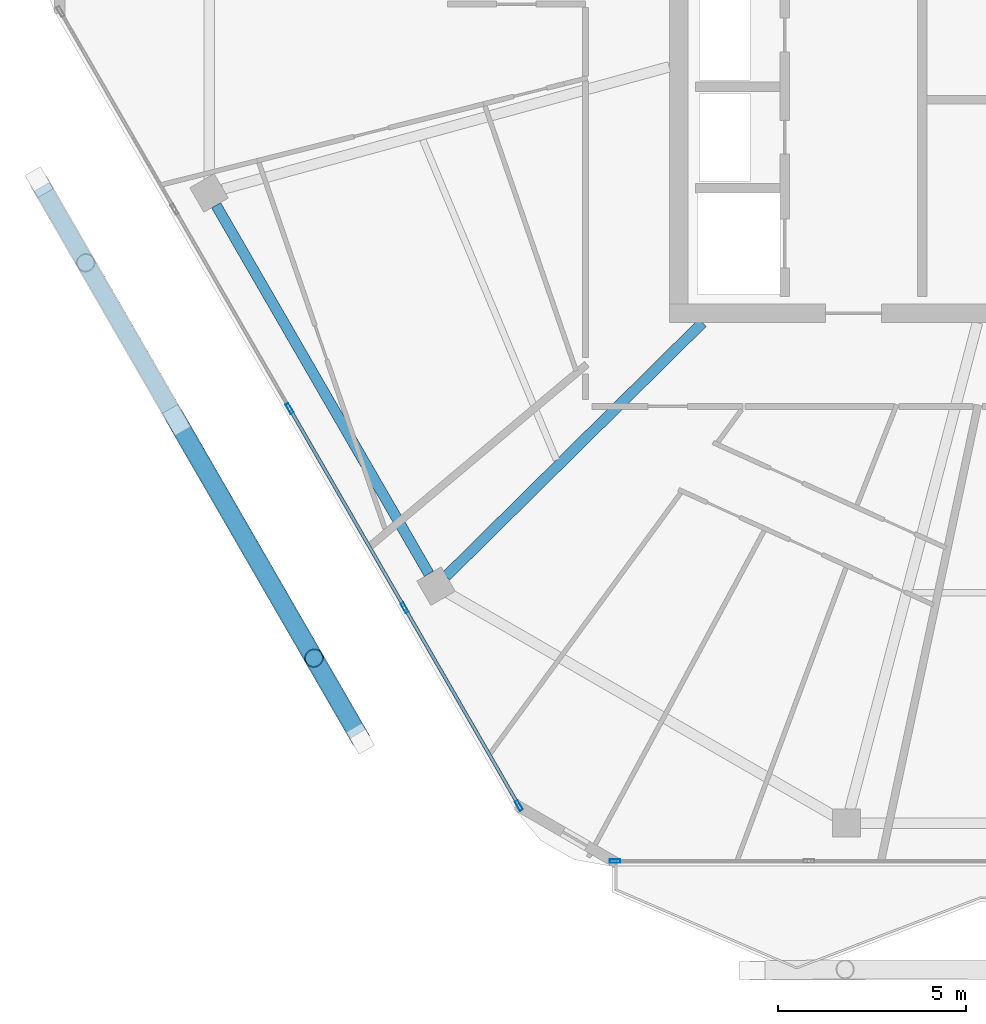
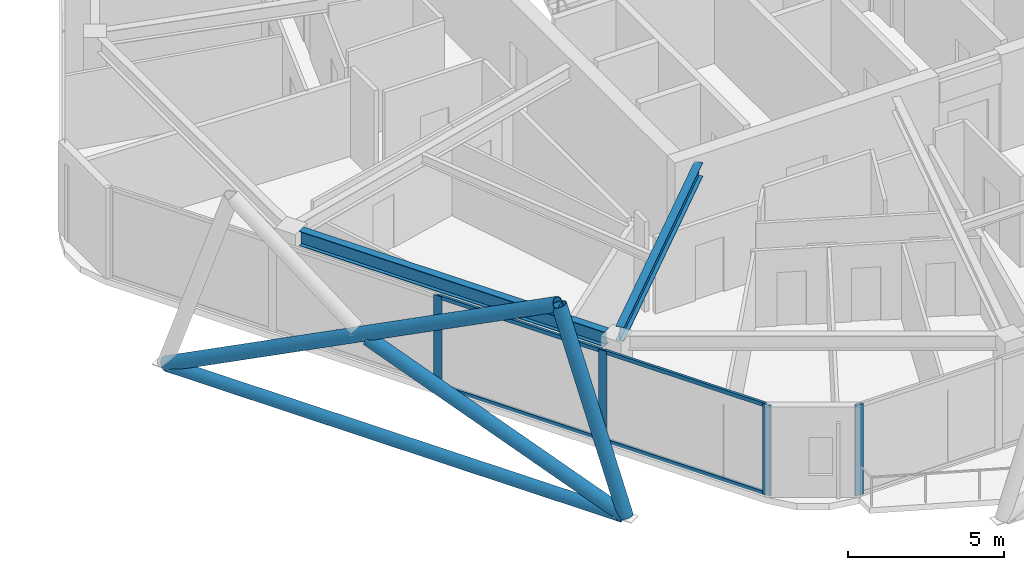
# One storey, part 2 of 23: 12 members, 2 beams, 2 elements without a shape of their own.
"""IFC4 building model written with IfcOpenShell, lengths in metres."""

from ifc_helpers import new_model, si_unit, direction, frame, origin, origin_2d, place, context, subcontext, project, spatial, hollow_rectangle, hollow_circle, i_section, extrude, material, material_profile, profile_set, type_object, element, aggregate, save


model = new_model("IFC4")

# Units and contexts
model_context = context("Model", 3, precision=1e-05, world=origin(), true_north=direction((0.0, 1.0)))
body_context = subcontext(model_context, "Body", "Model", "MODEL_VIEW")
ifc_project = project(units=[si_unit("LENGTHUNIT", "METRE"), si_unit("AREAUNIT", "SQUARE_METRE"), si_unit("VOLUMEUNIT", "CUBIC_METRE"), si_unit("PLANEANGLEUNIT", "RADIAN"), si_unit("MASSUNIT", "GRAM", prefix="KILO")], contexts=[model_context])

# Site, building, storey
site_placement = place(None, origin())
site = spatial("IfcSite", under=ifc_project, at=site_placement, CompositionType="ELEMENT")
building_placement = place(site_placement, origin())
building = spatial("IfcBuilding", under=site, at=building_placement, Name="Zuhravey Tower", CompositionType="ELEMENT")
storey_placement = place(building_placement, frame((0.0, 0.0, 346.199951171875)))
storey = spatial("IfcBuildingStorey", under=building, at=storey_placement, Name="L88", CompositionType="ELEMENT", Elevation=346.199951171875)

# Curtain wall, member
ifc_material_1 = material(Name="Thermally broken anodised aluminium", Category="aluminium")
curtain_wall_type = type_object("IfcCurtainWallType", Name="Zone 3-4 High-Rise Curtain Wall CW4", PredefinedType="NOTDEFINED", material=ifc_material_1)
curtain_wall_1_placement = place(storey_placement, origin())
curtain_wall_1 = element("IfcCurtainWall", 1, at=curtain_wall_1_placement, inside=storey, type_object=curtain_wall_type, Name="L88 CW4 CW-L88-F5-2", PredefinedType="NOTDEFINED")
ifc_material_2 = material(Name="Anodised aluminium", Category="aluminium")
ifc_material_profile_1 = material_profile(ifc_material_2, hollow_rectangle(XDim=0.090087890625, YDim=0.284912109375, WallThickness=0.0048828125, at=origin_2d()), Name="ALU-RHS-90x285x5")
ifc_profile_set_1 = profile_set([ifc_material_profile_1], Name="Anodised aluminium")
member_type_1 = type_object("IfcMemberType", Name="Curtain-Wall Mullion 90x180", PredefinedType="MULLION", material=ifc_profile_set_1)
member_1_placement = place(storey_placement, frame((23.8056640625, 7.92578125, 0.0), z_axis=(0.0, 0.0, 1.0), x_axis=(0.0, -1.0, 0.0)))
member_1 = element("IfcMember", 2, at=member_1_placement, type_object=member_type_1, Name="CW4 mullion 3", PredefinedType="MULLION", context=body_context, shape_type="SweptSolid", body=[
    extrude(hollow_rectangle(XDim=0.090087890625, YDim=0.284912109375, WallThickness=0.0048828125, at=origin_2d()), origin(), (0.0, 0.0, 1.0), 3.550048828125),
])
aggregate(curtain_wall_1, [member_1])

# Curtain wall, members
curtain_wall_2_placement = place(storey_placement, origin())
curtain_wall_2 = element("IfcCurtainWall", 3, at=curtain_wall_2_placement, inside=storey, type_object=curtain_wall_type, Name="L88 CW4 CW-L88-F4-1", PredefinedType="NOTDEFINED")
member_2_placement = place(storey_placement, frame((21.248291015625, 9.40234375, 0.0), z_axis=(0.0, 0.0, 1.0), x_axis=(-0.866025511541, -0.49999981336, 0.0)))
member_2 = element("IfcMember", 4, at=member_2_placement, type_object=member_type_1, Name="CW4 mullion 1", PredefinedType="MULLION", context=body_context, shape_type="SweptSolid", body=[
    extrude(hollow_rectangle(XDim=0.090087890625, YDim=0.284912109375, WallThickness=0.0048828125, at=origin_2d()), origin(), (0.0, 0.0, 1.0), 3.550048828125),
])
member_3_placement = place(storey_placement, frame((18.211181640625, 14.6630859375, 0.0), z_axis=(0.0, 0.0, 1.0), x_axis=(-0.866025511541, -0.49999981336, 0.0)))
member_3 = element("IfcMember", 5, at=member_3_placement, type_object=member_type_1, Name="CW4 mullion 2", PredefinedType="MULLION", context=body_context, shape_type="SweptSolid", body=[
    extrude(hollow_rectangle(XDim=0.090087890625, YDim=0.284912109375, WallThickness=0.0048828125, at=origin_2d()), origin(), (0.0, 0.0, 1.0), 3.550048828125),
])
member_4_placement = place(storey_placement, frame((15.1513671875, 19.962890625, 0.0), z_axis=(0.0, 0.0, 1.0), x_axis=(-0.866025511541, -0.49999981336, 0.0)))
member_4 = element("IfcMember", 6, at=member_4_placement, type_object=member_type_1, Name="CW4 mullion 3", PredefinedType="MULLION", context=body_context, shape_type="SweptSolid", body=[
    extrude(hollow_rectangle(XDim=0.090087890625, YDim=0.284912109375, WallThickness=0.0048828125, at=origin_2d()), origin(), (0.0, 0.0, 1.0), 3.550048828125),
])
ifc_material_profile_2 = material_profile(ifc_material_2, hollow_rectangle(XDim=0.090087890625, YDim=0.14990234375, WallThickness=0.0048828125, at=origin_2d()), Name="ALU-RHS-90x150x5")
ifc_profile_set_2 = profile_set([ifc_material_profile_2], Name="Anodised aluminium")
member_type_2 = type_object("IfcMemberType", Name="Curtain-Wall Transom 90x150", PredefinedType="USERDEFINED", material=ifc_profile_set_2)
member_5_placement = place(storey_placement, frame((21.225830078125, 9.44140625, 0.045166015625), z_axis=(-0.499982594807, 0.866035452444, 0.0), x_axis=(-0.866035452444, -0.499982594807, 0.0)))
member_5 = element("IfcMember", 7, at=member_5_placement, type_object=member_type_2, Name="CW4 transom 1.1", ObjectType="TRANSOM", PredefinedType="USERDEFINED", context=body_context, shape_type="SweptSolid", body=[
    extrude(hollow_rectangle(XDim=0.090087890625, YDim=0.14990234375, WallThickness=0.0048828125, at=origin_2d()), origin(), (0.0, 0.0, 1.0), 5.984619140625),
])
member_6_placement = place(storey_placement, frame((21.225830078125, 9.44140625, 3.505126953125), z_axis=(-0.499982594807, 0.866035452444, 0.0), x_axis=(-0.866035452444, -0.499982594807, 0.0)))
member_6 = element("IfcMember", 8, at=member_6_placement, type_object=member_type_2, Name="CW4 transom 1.2", ObjectType="TRANSOM", PredefinedType="USERDEFINED", context=body_context, shape_type="SweptSolid", body=[
    extrude(hollow_rectangle(XDim=0.090087890625, YDim=0.14990234375, WallThickness=0.0048828125, at=origin_2d()), origin(), (0.0, 0.0, 1.0), 5.984619140625),
])
member_7_placement = place(storey_placement, frame((18.1884765625, 14.7021484375, 0.045166015625), z_axis=(-0.499971305196, 0.866041970103, 0.0), x_axis=(-0.866041970103, -0.499971305196, 0.0)))
member_7 = element("IfcMember", 9, at=member_7_placement, type_object=member_type_2, Name="CW4 transom 2.1", ObjectType="TRANSOM", PredefinedType="USERDEFINED", context=body_context, shape_type="SweptSolid", body=[
    extrude(hollow_rectangle(XDim=0.090087890625, YDim=0.14990234375, WallThickness=0.0048828125, at=origin_2d()), origin(), (0.0, 0.0, 1.0), 6.029541015625),
])
member_8_placement = place(storey_placement, frame((18.1884765625, 14.7021484375, 3.505126953125), z_axis=(-0.499971305196, 0.866041970103, 0.0), x_axis=(-0.866041970103, -0.499971305196, 0.0)))
member_8 = element("IfcMember", 10, at=member_8_placement, type_object=member_type_2, Name="CW4 transom 2.2", ObjectType="TRANSOM", PredefinedType="USERDEFINED", context=body_context, shape_type="SweptSolid", body=[
    extrude(hollow_rectangle(XDim=0.090087890625, YDim=0.14990234375, WallThickness=0.0048828125, at=origin_2d()), origin(), (0.0, 0.0, 1.0), 6.029541015625),
])
aggregate(curtain_wall_2, [member_2, member_3, member_4, member_5, member_6, member_7, member_8])

# Members
ifc_material_3 = material(Name="Steel SM355", Category="steel")
ifc_material_profile_3 = material_profile(ifc_material_3, hollow_circle(Radius=0.228515625, WallThickness=0.02197265625, at=origin_2d()), Name="CHS-457.2x22")
ifc_profile_set_3 = profile_set([ifc_material_profile_3], Name="Steel SM355")
member_type_3 = type_object("IfcMemberType", Name="Exoskeleton Ring Tie CHS457x22", PredefinedType="CHORD", material=ifc_profile_set_3)
member_9_placement = place(storey_placement, frame((8.556396484375, 25.86572265625, -0.4638671875), z_axis=(0.499996794797, -0.866027254301, 0.0), x_axis=(0.866027254301, 0.499996794797, 0.0)))
element("IfcMember", 11, at=member_9_placement, inside=storey, type_object=member_type_3, Name="L88 Exoskeleton Face 4 Tie EXR1", PredefinedType="CHORD", context=body_context, shape_type="SweptSolid", body=[
    extrude(hollow_circle(Radius=0.228515625, WallThickness=0.02197265625, at=origin_2d()), origin(), (0.0, 0.0, 1.0), 16.81884765625),
])
ifc_material_profile_4 = material_profile(ifc_material_3, hollow_circle(Radius=0.25390625, WallThickness=0.02490234375, at=origin_2d()), Name="CHS-508.0x25")
ifc_profile_set_4 = profile_set([ifc_material_profile_4], Name="Steel SM355")
member_type_4 = type_object("IfcMemberType", Name="Exoskeleton Zone 4 Diagrid CHS508x25", PredefinedType="BRACE", material=ifc_profile_set_4)
member_10_placement = place(storey_placement, frame((8.501953125, 25.9599609375, -0.447998046875), z_axis=(0.445284176768, -0.771266195128, 0.45483014211), x_axis=(0.866028597523, 0.499994468242, 0.0)))
element("IfcMember", 12, at=member_10_placement, inside=storey, type_object=member_type_4, Name="L88 Face 4 Diagrid Brace 2", PredefinedType="BRACE", context=body_context, shape_type="SweptSolid", body=[
    extrude(hollow_circle(Radius=0.25390625, WallThickness=0.02490234375, at=origin_2d()), origin(), (0.0, 0.0, 1.0), 16.342529296875),
])
member_11_placement = place(storey_placement, frame((17.033203125, 11.18359375, -0.447998046875), z_axis=(-0.157770091152, 0.273214661999, 0.948926944926), x_axis=(-0.865984868088, -0.500070203315, 0.0)))
element("IfcMember", 13, at=member_11_placement, inside=storey, type_object=member_type_4, Name="L88 Face 4 Diagrid Brace 4", PredefinedType="BRACE", context=body_context, shape_type="SweptSolid", body=[
    extrude(hollow_circle(Radius=0.25390625, WallThickness=0.02490234375, at=origin_2d()), origin(), (0.0, 0.0, 1.0), 7.833251953125),
])
member_12_placement = place(storey_placement, frame((17.019287109375, 11.207275390625, -0.451416015625), z_axis=(-0.467204375503, 0.809211288083, 0.356226280262), x_axis=(-0.866022613796, -0.500004832371, 0.0)))
element("IfcMember", 14, at=member_12_placement, inside=storey, type_object=member_type_4, Name="L88 Face 4 Split Diagrid Brace 3A", PredefinedType="BRACE", context=body_context, shape_type="SweptSolid", body=[
    extrude(hollow_circle(Radius=0.25390625, WallThickness=0.02490234375, at=origin_2d()), origin(), (0.0, 0.0, 1.0), 10.19873046875),
])

# Beams
ifc_material_profile_5 = material_profile(ifc_material_3, i_section(OverallWidth=0.280029296875, OverallDepth=0.580078125, WebThickness=0.011962890625, FlangeThickness=0.01904296875, at=origin_2d()), Name="H-580x280x12x19")
ifc_profile_set_5 = profile_set([ifc_material_profile_5], Name="Steel SM355")
beam_type_1 = type_object("IfcBeamType", Name="Perimeter Ring Beam H580x280", PredefinedType="BEAM", material=ifc_profile_set_5)
beam_1_placement = place(storey_placement, frame((13.195556640625, 25.370361328125, 3.260009765625), z_axis=(0.499993743963, -0.866029015679, 0.0), x_axis=(0.866029015679, 0.499993743963, 0.0)))
element("IfcBeam", 15, at=beam_1_placement, inside=storey, type_object=beam_type_1, Name="L88 PB4 BM-L88-PB-07", PredefinedType="BEAM", context=body_context, shape_type="SweptSolid", body=[
    extrude(i_section(OverallWidth=0.280029296875, OverallDepth=0.580078125, WebThickness=0.011962890625, FlangeThickness=0.01904296875, at=origin_2d()), origin(), (0.0, 0.0, 1.0), 11.321533203125),
])
ifc_material_profile_6 = material_profile(ifc_material_3, i_section(OverallWidth=0.280029296875, OverallDepth=0.550048828125, WebThickness=0.010986328125, FlangeThickness=0.01806640625, at=origin_2d()), Name="H-550x280x11x18")
ifc_profile_set_6 = profile_set([ifc_material_profile_6], Name="Steel SM355")
beam_type_2 = type_object("IfcBeamType", Name="Radial Primary Girder H550x280", PredefinedType="BEAM", material=ifc_profile_set_6)
beam_2_placement = place(storey_placement, frame((26.134765625, 22.2470703125, 3.275146484375), z_axis=(-0.711142578304, -0.703047817238, 0.0), x_axis=(0.703047817238, -0.711142578304, 0.0)))
element("IfcBeam", 16, at=beam_2_placement, inside=storey, type_object=beam_type_2, Name="L88 RG4 BM-L88-RAD-08", PredefinedType="BEAM", context=body_context, shape_type="SweptSolid", body=[
    extrude(i_section(OverallWidth=0.280029296875, OverallDepth=0.550048828125, WebThickness=0.010986328125, FlangeThickness=0.01806640625, at=origin_2d()), origin(), (0.0, 0.0, 1.0), 9.591064453125),
])

save(model, "model.ifc")
